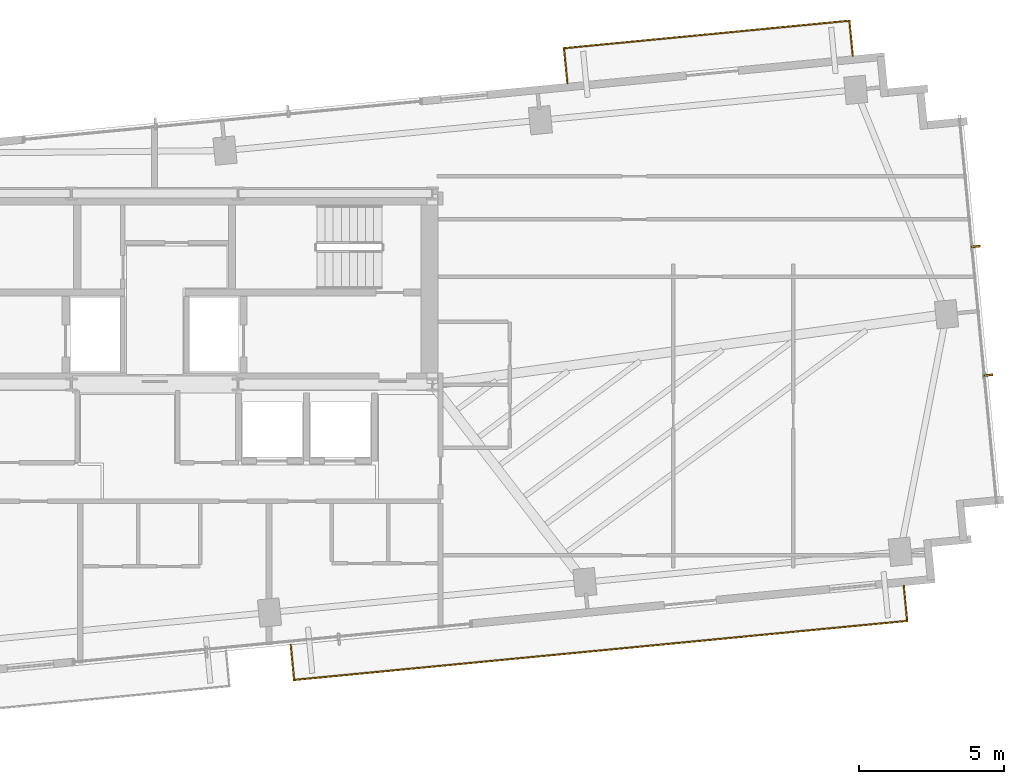
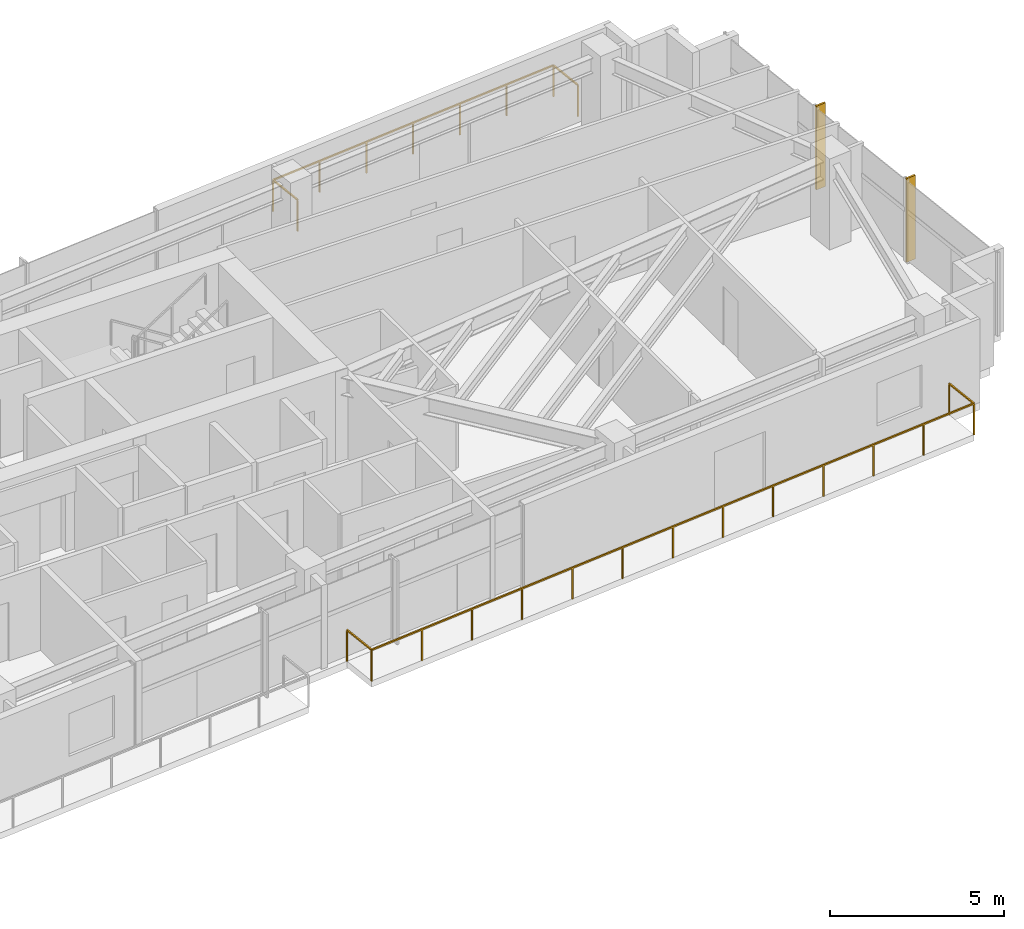
# One storey, part 18 of 18: 2 railings, 2 shading devices.
"""IFC4 building model written with IfcOpenShell, lengths in metres."""

from ifc_helpers import new_model, si_unit, direction, frame, origin, origin_2d, place, context, subcontext, project, spatial, rectangle, extrude, source, transform, mapped, material, type_object, type_shapes, element, save


model = new_model("IFC4")

# Units and contexts
model_context = context("Model", 3, precision=1e-05, world=origin(), true_north=direction((0.0, 1.0)))
body_context = subcontext(model_context, "Body", "Model", "MODEL_VIEW")
ifc_project = project(units=[si_unit("LENGTHUNIT", "METRE"), si_unit("AREAUNIT", "SQUARE_METRE"), si_unit("VOLUMEUNIT", "CUBIC_METRE"), si_unit("PLANEANGLEUNIT", "RADIAN"), si_unit("MASSUNIT", "GRAM", prefix="KILO")], contexts=[model_context])

# Site, building, storey
site_placement = place(None, origin())
site = spatial("IfcSite", under=ifc_project, at=site_placement, CompositionType="ELEMENT")
building_placement = place(site_placement, origin())
building = spatial("IfcBuilding", under=site, at=building_placement, Name="Astriad Promenade Condominiums", CompositionType="ELEMENT")
storey_placement = place(building_placement, frame((0.0, 0.0, 198.60009765625)))
storey = spatial("IfcBuildingStorey", under=building, at=storey_placement, Name="L57", CompositionType="ELEMENT", Elevation=198.60009765625)

# Shading devices
ifc_material_1 = material(Name="Anodised aluminium 6063-T6 Black Fin", Category="aluminium")
shading_device_type = type_object("IfcShadingDeviceType", Name="FIN-BLACK-260", PredefinedType="USERDEFINED", material=ifc_material_1)
shared_shape_1 = source(origin(), body_context, "Body", "SweptSolid", [
    extrude(rectangle(XDim=0.06494140625, YDim=0.320068359375, at=origin_2d()), origin(), (0.0, 0.0, 1.0), 2.93994140625),
])
type_shapes(shading_device_type, [shared_shape_1])
for number, where, z_axis, x_axis, name in (
    (1, (64.37841796875, 22.16796875, 0.0), (0.0, 0.0, 1.0), (0.09584575252, -0.995396198367, 0.0), "CW-L57-E-FIN-01"),
    (2, (64.806640625, 17.721923828125, 0.0), (0.0, 0.0, 1.0), (0.09584575252, -0.995396198367, 0.0), "CW-L57-E-FIN-02"),
):
    element("IfcShadingDevice", number, at=place(storey_placement, frame(where, z_axis=z_axis, x_axis=x_axis)), inside=storey, type_object=shading_device_type, Name=name, ObjectType="FIN", PredefinedType="USERDEFINED", context=body_context, shape_type="MappedRepresentation", body=[
        mapped(shared_shape_1, transform((0.0, 0.0, 0.0), scale=1.0)),
    ])

# Railings
ifc_material_2 = material(Name="Laminated Glass and Stainless Steel Balustrade", Category="steel")
railing_type = type_object("IfcRailingType", Name="GRD-BALC-1120", PredefinedType="BALUSTRADE", material=ifc_material_2)
shared_shape_2 = source(origin(), body_context, "Body", "SweptSolid", [
    extrude(rectangle(XDim=0.048095703125, YDim=0.048095703125, at=origin_2d()), frame((0.0, 0.0, 1.09619140625), z_axis=(0.095857307208, -0.99539508571, 0.0), x_axis=(0.99539508571, 0.095857307208, 0.0)), (0.0, 0.0, 1.0), 1.219970703125),
    extrude(rectangle(XDim=0.048095703125, YDim=0.048095703125, at=origin_2d()), frame((0.116943359375, -1.21435546875, 1.09619140625), z_axis=(0.995396539351, 0.095842211205, 0.0), x_axis=(-0.095842211205, 0.995396539351, 0.0)), (0.0, 0.0, 1.0), 21.287841796875),
    extrude(rectangle(XDim=0.048095703125, YDim=0.048095703125, at=origin_2d()), frame((21.306884765625, 0.825927734375, 1.09619140625), z_axis=(-0.095857307208, 0.99539508571, 0.0), x_axis=(-0.99539508571, -0.095857307208, 0.0)), (0.0, 0.0, 1.0), 1.219970703125),
    extrude(rectangle(XDim=0.0419921875, YDim=0.0419921875, at=origin_2d()), origin(), (0.0, 0.0, 1.0), 1.072021484375),
    extrude(rectangle(XDim=0.0419921875, YDim=0.0419921875, at=origin_2d()), frame((0.116943359375, -1.21435546875, 0.0)), (0.0, 0.0, 1.0), 1.072021484375),
    extrude(rectangle(XDim=0.0419921875, YDim=0.0419921875, at=origin_2d()), frame((1.8828125, -1.04443359375, 0.0)), (0.0, 0.0, 1.0), 1.072021484375),
    extrude(rectangle(XDim=0.0419921875, YDim=0.0419921875, at=origin_2d()), frame((3.648681640625, -0.874267578125, 0.0)), (0.0, 0.0, 1.0), 1.072021484375),
    extrude(rectangle(XDim=0.0419921875, YDim=0.0419921875, at=origin_2d()), frame((5.41455078125, -0.704345703125, 0.0)), (0.0, 0.0, 1.0), 1.072021484375),
    extrude(rectangle(XDim=0.0419921875, YDim=0.0419921875, at=origin_2d()), frame((7.18017578125, -0.5341796875, 0.0)), (0.0, 0.0, 1.0), 1.072021484375),
    extrude(rectangle(XDim=0.0419921875, YDim=0.0419921875, at=origin_2d()), frame((8.946044921875, -0.3642578125, 0.0)), (0.0, 0.0, 1.0), 1.072021484375),
    extrude(rectangle(XDim=0.0419921875, YDim=0.0419921875, at=origin_2d()), frame((10.7119140625, -0.1943359375, 0.0)), (0.0, 0.0, 1.0), 1.072021484375),
    extrude(rectangle(XDim=0.0419921875, YDim=0.0419921875, at=origin_2d()), frame((12.477783203125, -0.024169921875, 0.0)), (0.0, 0.0, 1.0), 1.072021484375),
    extrude(rectangle(XDim=0.0419921875, YDim=0.0419921875, at=origin_2d()), frame((14.24365234375, 0.145751953125, 0.0)), (0.0, 0.0, 1.0), 1.072021484375),
    extrude(rectangle(XDim=0.0419921875, YDim=0.0419921875, at=origin_2d()), frame((16.00927734375, 0.31591796875, 0.0)), (0.0, 0.0, 1.0), 1.072021484375),
    extrude(rectangle(XDim=0.0419921875, YDim=0.0419921875, at=origin_2d()), frame((17.775146484375, 0.48583984375, 0.0)), (0.0, 0.0, 1.0), 1.072021484375),
    extrude(rectangle(XDim=0.0419921875, YDim=0.0419921875, at=origin_2d()), frame((19.541015625, 0.656005859375, 0.0)), (0.0, 0.0, 1.0), 1.072021484375),
    extrude(rectangle(XDim=0.0419921875, YDim=0.0419921875, at=origin_2d()), frame((21.306884765625, 0.825927734375, 0.0)), (0.0, 0.0, 1.0), 1.072021484375),
    extrude(rectangle(XDim=0.0419921875, YDim=0.0419921875, at=origin_2d()), frame((21.18994140625, 2.040283203125, 0.0)), (0.0, 0.0, 1.0), 1.072021484375),
])
railing_1_placement = place(storey_placement, frame((40.701904296875, 8.402099609375, 0.0)))
element("IfcRailing", 3, at=railing_1_placement, inside=storey, type_object=railing_type, Name="GRD-BALC-L57-SE", PredefinedType="BALUSTRADE", context=body_context, shape_type="MappedRepresentation", body=[
    mapped(shared_shape_2, transform((0.0, 0.0, 0.0), scale=1.0)),
])
shared_shape_3 = source(origin(), body_context, "Body", "SweptSolid", [
    extrude(rectangle(XDim=0.048095703125, YDim=0.048095703125, at=origin_2d()), frame((0.0, 0.0, 1.09619140625), z_axis=(-0.095857307208, 0.99539508571, 0.0), x_axis=(-0.99539508571, -0.095857307208, 0.0)), (0.0, 0.0, 1.0), 1.219970703125),
    extrude(rectangle(XDim=0.048095703125, YDim=0.048095703125, at=origin_2d()), frame((-0.116943359375, 1.21435546875, 1.09619140625), z_axis=(-0.99539606711, -0.09584711567, 0.0), x_axis=(0.09584711567, -0.99539606711, 0.0)), (0.0, 0.0, 1.0), 9.9111328125),
    extrude(rectangle(XDim=0.048095703125, YDim=0.048095703125, at=origin_2d()), frame((-9.982421875, 0.264404296875, 1.09619140625), z_axis=(0.095857307208, -0.99539508571, 0.0), x_axis=(0.99539508571, 0.095857307208, 0.0)), (0.0, 0.0, 1.0), 1.219970703125),
    extrude(rectangle(XDim=0.0419921875, YDim=0.0419921875, at=origin_2d()), origin(), (0.0, 0.0, 1.0), 1.072021484375),
    extrude(rectangle(XDim=0.0419921875, YDim=0.0419921875, at=origin_2d()), frame((-0.116943359375, 1.21435546875, 0.0)), (0.0, 0.0, 1.0), 1.072021484375),
    extrude(rectangle(XDim=0.0419921875, YDim=0.0419921875, at=origin_2d()), frame((-1.76123046875, 1.05615234375, 0.0)), (0.0, 0.0, 1.0), 1.072021484375),
    extrude(rectangle(XDim=0.0419921875, YDim=0.0419921875, at=origin_2d()), frame((-3.405517578125, 0.897705078125, 0.0)), (0.0, 0.0, 1.0), 1.072021484375),
    extrude(rectangle(XDim=0.0419921875, YDim=0.0419921875, at=origin_2d()), frame((-5.0498046875, 0.7392578125, 0.0)), (0.0, 0.0, 1.0), 1.072021484375),
    extrude(rectangle(XDim=0.0419921875, YDim=0.0419921875, at=origin_2d()), frame((-6.69384765625, 0.5810546875, 0.0)), (0.0, 0.0, 1.0), 1.072021484375),
    extrude(rectangle(XDim=0.0419921875, YDim=0.0419921875, at=origin_2d()), frame((-8.338134765625, 0.4228515625, 0.0)), (0.0, 0.0, 1.0), 1.072021484375),
    extrude(rectangle(XDim=0.0419921875, YDim=0.0419921875, at=origin_2d()), frame((-9.982421875, 0.264404296875, 0.0)), (0.0, 0.0, 1.0), 1.072021484375),
    extrude(rectangle(XDim=0.0419921875, YDim=0.0419921875, at=origin_2d()), frame((-9.865478515625, -0.949951171875, 0.0)), (0.0, 0.0, 1.0), 1.072021484375),
])
type_shapes(railing_type, [shared_shape_2, shared_shape_3])
railing_2_placement = place(storey_placement, frame((60.12841796875, 28.7578125, 0.0)))
element("IfcRailing", 4, at=railing_2_placement, inside=storey, type_object=railing_type, Name="GRD-BALC-L57-NE", PredefinedType="BALUSTRADE", context=body_context, shape_type="MappedRepresentation", body=[
    mapped(shared_shape_3, transform((0.0, 0.0, 0.0), scale=1.0)),
])

save(model, "model.ifc")
